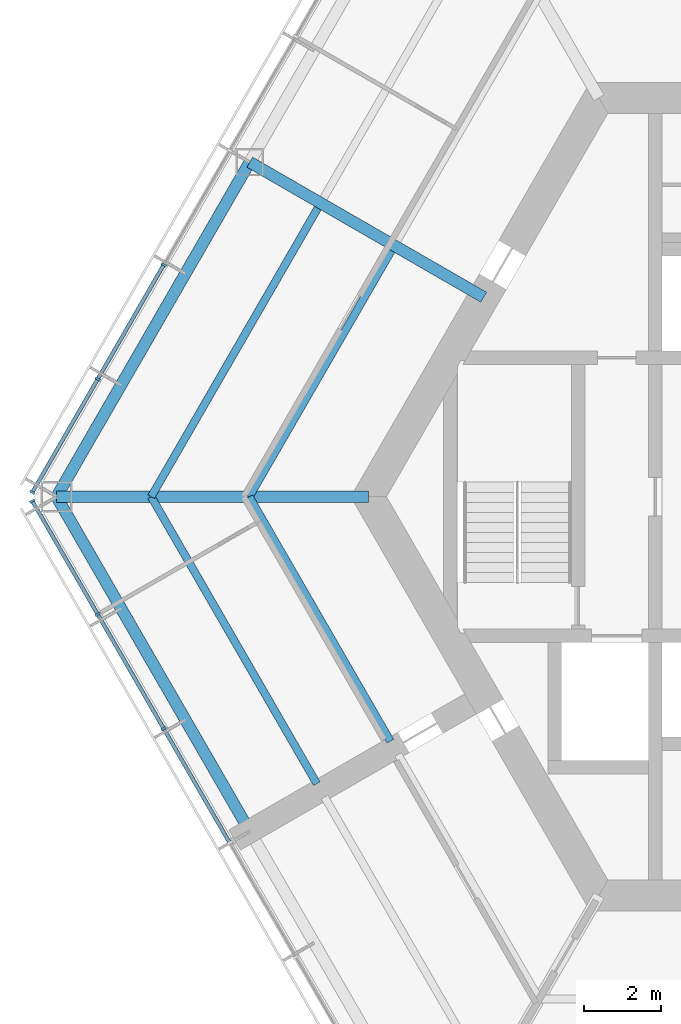
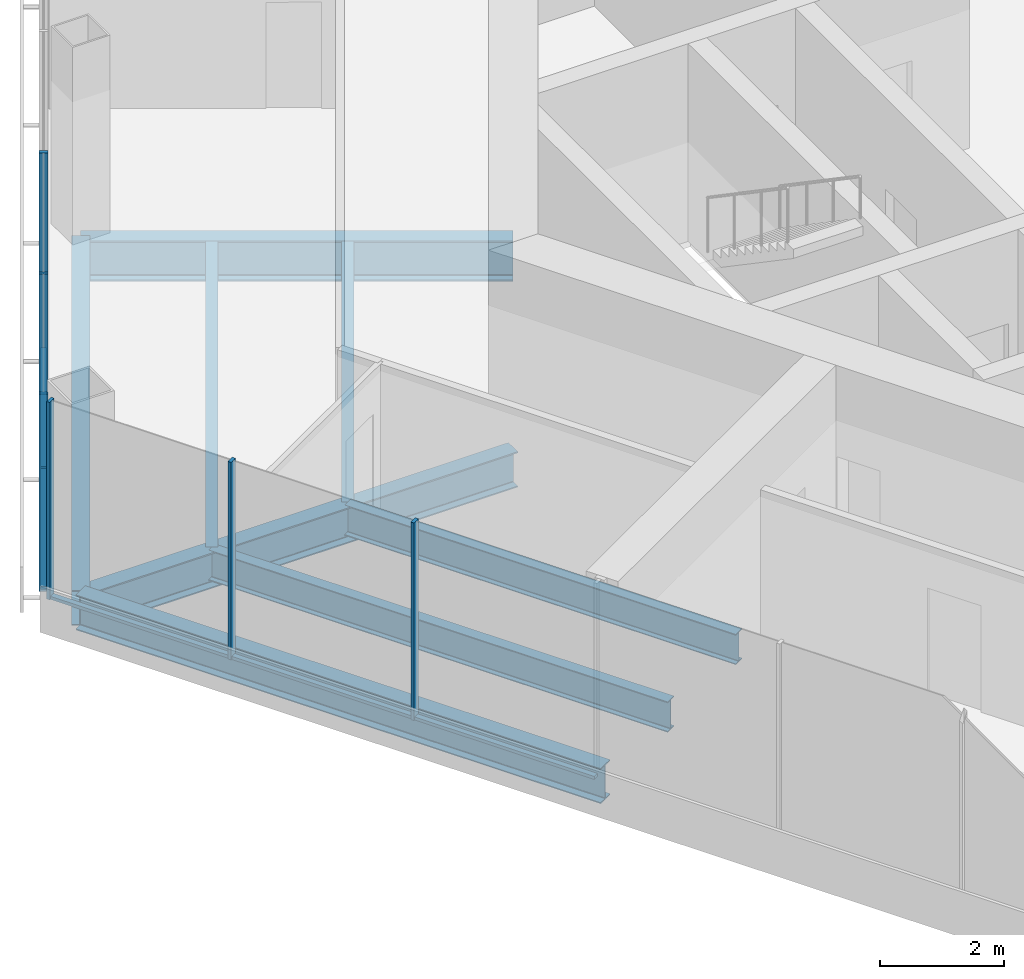
# One storey, part 3 of 14: 11 members, 8 beams, 2 elements without a shape of their own.
"""IFC4 building model written with IfcOpenShell, lengths in metres."""

from ifc_helpers import new_model, si_unit, direction, frame, origin, origin_2d, place, context, subcontext, project, spatial, rectangle, i_section, extrude, material, material_profile, profile_set, type_object, element, aggregate, save


model = new_model("IFC4")

# Units and contexts
model_context = context("Model", 3, precision=1e-05, world=origin(), true_north=direction((0.0, 1.0)))
body_context = subcontext(model_context, "Body", "Model", "MODEL_VIEW")
ifc_project = project(units=[si_unit("LENGTHUNIT", "METRE"), si_unit("AREAUNIT", "SQUARE_METRE"), si_unit("VOLUMEUNIT", "CUBIC_METRE"), si_unit("PLANEANGLEUNIT", "RADIAN"), si_unit("MASSUNIT", "GRAM", prefix="KILO")], contexts=[model_context])

# Site, building, storey
site_placement = place(None, origin())
site = spatial("IfcSite", under=ifc_project, at=site_placement, CompositionType="ELEMENT")
building_placement = place(site_placement, origin())
building = spatial("IfcBuilding", under=site, at=building_placement, Name="Kasaneha Research Tower", CompositionType="ELEMENT")
storey_placement = place(building_placement, frame((0.0, 0.0, 216.699951171875)))
storey = spatial("IfcBuildingStorey", under=building, at=storey_placement, Name="L54", CompositionType="ELEMENT", Elevation=216.699951171875)

# Beams
ifc_material_1 = material(Name="Steel SN490B", Category="steel")
ifc_material_profile_1 = material_profile(ifc_material_1, i_section(OverallWidth=0.199951171875, OverallDepth=0.60009765625, WebThickness=0.010986328125, FlangeThickness=0.01708984375, FilletRadius=0.012939453125, at=origin_2d()), Name="H-600x200x11x17")
ifc_profile_set_1 = profile_set([ifc_material_profile_1], Name="Steel SN490B")
beam_type_1 = type_object("IfcBeamType", Name="B1-3 secondary beam H-600x200x11x17", PredefinedType="JOIST", material=ifc_profile_set_1)
beam_1_placement = place(storey_placement, frame((-15.010986328125, 0.0, -0.449951171875), z_axis=(0.499994443168, 0.866028611999, 0.0), x_axis=(-0.866028611999, 0.499994443168, 0.0)))
element("IfcBeam", 1, at=beam_1_placement, inside=storey, type_object=beam_type_1, Name="Secondary beam RS150R1 L54", PredefinedType="JOIST", context=body_context, shape_type="SweptSolid", body=[
    extrude(i_section(OverallWidth=0.199951171875, OverallDepth=0.60009765625, WebThickness=0.010986328125, FlangeThickness=0.01708984375, FilletRadius=0.012939453125, at=origin_2d()), origin(), (0.0, 0.0, 1.0), 7.35546875),
])
beam_2_placement = place(storey_placement, frame((-17.551513671875, 0.0, -0.449951171875), z_axis=(0.5000050195, 0.866022505755, 0.0), x_axis=(-0.866022505755, 0.5000050195, 0.0)))
element("IfcBeam", 2, at=beam_2_placement, inside=storey, type_object=beam_type_1, Name="Secondary beam RS150R2 L54", PredefinedType="JOIST", context=body_context, shape_type="SweptSolid", body=[
    extrude(i_section(OverallWidth=0.199951171875, OverallDepth=0.60009765625, WebThickness=0.010986328125, FlangeThickness=0.01708984375, FilletRadius=0.012939453125, at=origin_2d()), origin(), (0.0, 0.0, 1.0), 8.6259765625),
])
beam_3_placement = place(storey_placement, frame((-15.010986328125, 0.0, -0.449951171875), z_axis=(0.499974128195, -0.866040340363, 0.0), x_axis=(0.866040340363, 0.499974128195, 0.0)))
element("IfcBeam", 3, at=beam_3_placement, inside=storey, type_object=beam_type_1, Name="Secondary beam RS210L1 L54", PredefinedType="JOIST", context=body_context, shape_type="SweptSolid", body=[
    extrude(i_section(OverallWidth=0.199951171875, OverallDepth=0.60009765625, WebThickness=0.010986328125, FlangeThickness=0.01708984375, FilletRadius=0.012939453125, at=origin_2d()), origin(), (0.0, 0.0, 1.0), 7.3056640625),
])
beam_4_placement = place(storey_placement, frame((-17.551513671875, 0.0, -0.449951171875), z_axis=(0.500000102728, -0.866025344474, 0.0), x_axis=(0.866025344474, 0.500000102728, 0.0)))
element("IfcBeam", 4, at=beam_4_placement, inside=storey, type_object=beam_type_1, Name="Secondary beam RS210L2 L54", PredefinedType="JOIST", context=body_context, shape_type="SweptSolid", body=[
    extrude(i_section(OverallWidth=0.199951171875, OverallDepth=0.60009765625, WebThickness=0.010986328125, FlangeThickness=0.01708984375, FilletRadius=0.012939453125, at=origin_2d()), origin(), (0.0, 0.0, 1.0), 8.57568359375),
])

# Curtain wall, members
ifc_material_2 = material(Name="Glass and aluminium", Category="aluminium")
curtain_wall_type = type_object("IfcCurtainWallType", Name="High-rise office curtain wall", PredefinedType="USERDEFINED", material=ifc_material_2)
curtain_wall_1_placement = place(storey_placement, origin())
curtain_wall_1 = element("IfcCurtainWall", 5, at=curtain_wall_1_placement, inside=storey, type_object=curtain_wall_type, Name="CW-O3 L54 run 03a", ObjectType="UNITISED CURTAIN WALL", PredefinedType="USERDEFINED")
ifc_material_3 = material(Name="Aluminium 6063-T6", Category="aluminium")
ifc_material_profile_2 = material_profile(ifc_material_3, rectangle(XDim=0.06005859375, YDim=0.139892578125, at=origin_2d()), Name="CW-O3 mullion 60x140")
ifc_profile_set_2 = profile_set([ifc_material_profile_2], Name="Aluminium 6063-T6")
member_type_1 = type_object("IfcMemberType", Name="CW-O3 mullion", PredefinedType="MULLION", material=ifc_profile_set_2)
member_1_placement = place(storey_placement, frame((-17.227294921875, 6.00244140625, 0.0), z_axis=(0.0, 0.0, 1.0), x_axis=(-0.499999995722, -0.866025406254, 0.0)))
member_1 = element("IfcMember", 6, at=member_1_placement, type_object=member_type_1, Name="CW-O3 mullion 5", PredefinedType="MULLION", context=body_context, shape_type="SweptSolid", body=[
    extrude(rectangle(XDim=0.06005859375, YDim=0.139892578125, at=origin_2d()), origin(), (0.0, 0.0, 1.0), 3.900146484375),
])
member_2_placement = place(storey_placement, frame((-18.93505859375, 3.04443359375, 0.0), z_axis=(0.0, 0.0, 1.0), x_axis=(-0.499999995722, -0.866025406254, 0.0)))
member_2 = element("IfcMember", 7, at=member_2_placement, type_object=member_type_1, Name="CW-O3 mullion 6", PredefinedType="MULLION", context=body_context, shape_type="SweptSolid", body=[
    extrude(rectangle(XDim=0.06005859375, YDim=0.139892578125, at=origin_2d()), origin(), (0.0, 0.0, 1.0), 3.900146484375),
])
member_3_placement = place(storey_placement, frame((-20.6279296875, 0.112548828125, 0.0), z_axis=(0.0, 0.0, 1.0), x_axis=(-0.499999995722, -0.866025406254, 0.0)))
member_3 = element("IfcMember", 8, at=member_3_placement, type_object=member_type_1, Name="CW-O3 mullion 7", PredefinedType="MULLION", context=body_context, shape_type="SweptSolid", body=[
    extrude(rectangle(XDim=0.06005859375, YDim=0.139892578125, at=origin_2d()), origin(), (0.0, 0.0, 1.0), 3.900146484375),
])

curtain_wall_2_placement = place(storey_placement, origin())
curtain_wall_2 = element("IfcCurtainWall", 9, at=curtain_wall_2_placement, inside=storey, type_object=curtain_wall_type, Name="CW-O3 L54 run 04a", ObjectType="UNITISED CURTAIN WALL", PredefinedType="USERDEFINED")
member_4_placement = place(storey_placement, frame((-20.6279296875, -0.112548828125, 0.0), z_axis=(0.0, 0.0, 1.0), x_axis=(0.499999995722, -0.866025406254, 0.0)))
member_4 = element("IfcMember", 10, at=member_4_placement, type_object=member_type_1, Name="CW-O3 mullion 1", PredefinedType="MULLION", context=body_context, shape_type="SweptSolid", body=[
    extrude(rectangle(XDim=0.06005859375, YDim=0.139892578125, at=origin_2d()), origin(), (0.0, 0.0, 1.0), 3.900146484375),
])
member_5_placement = place(storey_placement, frame((-18.93505859375, -3.04443359375, 0.0), z_axis=(0.0, 0.0, 1.0), x_axis=(0.499999995722, -0.866025406254, 0.0)))
member_5 = element("IfcMember", 11, at=member_5_placement, type_object=member_type_1, Name="CW-O3 mullion 2", PredefinedType="MULLION", context=body_context, shape_type="SweptSolid", body=[
    extrude(rectangle(XDim=0.06005859375, YDim=0.139892578125, at=origin_2d()), origin(), (0.0, 0.0, 1.0), 3.900146484375),
])
member_6_placement = place(storey_placement, frame((-17.227294921875, -6.00244140625, 0.0), z_axis=(0.0, 0.0, 1.0), x_axis=(0.499999995722, -0.866025406254, 0.0)))
member_6 = element("IfcMember", 12, at=member_6_placement, type_object=member_type_1, Name="CW-O3 mullion 3", PredefinedType="MULLION", context=body_context, shape_type="SweptSolid", body=[
    extrude(rectangle(XDim=0.06005859375, YDim=0.139892578125, at=origin_2d()), origin(), (0.0, 0.0, 1.0), 3.900146484375),
])

# Member
ifc_material_4 = material(Name="Aluminium 6063-T6", Category="aluminium")
ifc_material_profile_3 = material_profile(ifc_material_4, rectangle(XDim=0.10009765625, YDim=0.06005859375, at=origin_2d()), Name="CW-O3 transom 100x60")
ifc_profile_set_3 = profile_set([ifc_material_profile_3], Name="Aluminium 6063-T6")
member_type_2 = type_object("IfcMemberType", Name="CW-O3 transom", PredefinedType="USERDEFINED", material=ifc_profile_set_3)
member_7_placement = place(storey_placement, frame((-17.242431640625, 5.976318359375, 0.030029296875), z_axis=(-0.500020578564, -0.866013522419, 0.0), x_axis=(0.866013522419, -0.500020578564, 0.0)))
member_7 = element("IfcMember", 13, at=member_7_placement, type_object=member_type_2, Name="CW-O3 transom 5", ObjectType="TRANSOM", PredefinedType="USERDEFINED", context=body_context, shape_type="SweptSolid", body=[
    extrude(rectangle(XDim=0.10009765625, YDim=0.06005859375, at=origin_2d()), origin(), (0.0, 0.0, 1.0), 3.355224609375),
])

member_8_placement = place(storey_placement, frame((-18.9501953125, 3.0185546875, 0.030029296875), z_axis=(-0.49997666526, -0.866038875684, 0.0), x_axis=(0.866038875684, -0.49997666526, 0.0)))
member_8 = element("IfcMember", 14, at=member_8_placement, type_object=member_type_2, Name="CW-O3 transom 6", ObjectType="TRANSOM", PredefinedType="USERDEFINED", context=body_context, shape_type="SweptSolid", body=[
    extrude(rectangle(XDim=0.10009765625, YDim=0.06005859375, at=origin_2d()), origin(), (0.0, 0.0, 1.0), 3.325439453125),
])

aggregate(curtain_wall_1, [member_1, member_2, member_3, member_7, member_8])

member_9_placement = place(storey_placement, frame((-20.61279296875, -0.138671875, 0.030029296875), z_axis=(0.49997666526, -0.866038875684, 0.0), x_axis=(0.866038875684, 0.49997666526, 0.0)))
member_9 = element("IfcMember", 15, at=member_9_placement, type_object=member_type_2, Name="CW-O3 transom 1", ObjectType="TRANSOM", PredefinedType="USERDEFINED", context=body_context, shape_type="SweptSolid", body=[
    extrude(rectangle(XDim=0.10009765625, YDim=0.06005859375, at=origin_2d()), origin(), (0.0, 0.0, 1.0), 3.325439453125),
])

member_10_placement = place(storey_placement, frame((-18.920166015625, -3.070556640625, 0.030029296875), z_axis=(0.500020578564, -0.866013522419, 0.0), x_axis=(0.866013522419, 0.500020578564, 0.0)))
member_10 = element("IfcMember", 16, at=member_10_placement, type_object=member_type_2, Name="CW-O3 transom 2", ObjectType="TRANSOM", PredefinedType="USERDEFINED", context=body_context, shape_type="SweptSolid", body=[
    extrude(rectangle(XDim=0.10009765625, YDim=0.06005859375, at=origin_2d()), origin(), (0.0, 0.0, 1.0), 3.355224609375),
])

member_11_placement = place(storey_placement, frame((-17.21240234375, -6.0283203125, 0.030029296875), z_axis=(0.499989072476, -0.866031712701, 0.0), x_axis=(0.866031712701, 0.499989072476, 0.0)))
member_11 = element("IfcMember", 17, at=member_11_placement, type_object=member_type_2, Name="CW-O3 transom 3", ObjectType="TRANSOM", PredefinedType="USERDEFINED", context=body_context, shape_type="SweptSolid", body=[
    extrude(rectangle(XDim=0.10009765625, YDim=0.06005859375, at=origin_2d()), origin(), (0.0, 0.0, 1.0), 3.35546875),
])

aggregate(curtain_wall_2, [member_4, member_5, member_6, member_9, member_10, member_11])

# Beams
ifc_material_5 = material(Name="Steel SN490B", Category="steel")
ifc_material_profile_4 = material_profile(ifc_material_5, i_section(OverallWidth=0.300048828125, OverallDepth=0.699951171875, WebThickness=0.012939453125, FlangeThickness=0.02392578125, FilletRadius=0.01806640625, at=origin_2d()), Name="H-700x300x13x24")
ifc_profile_set_4 = profile_set([ifc_material_profile_4], Name="Steel SN490B")
beam_type_2 = type_object("IfcBeamType", Name="G1-3 radial girder H-700x300x13x24", PredefinedType="BEAM", material=ifc_profile_set_4)
beam_5_placement = place(storey_placement, frame((-11.92236328125, 0.0, -0.5), z_axis=(-1.0, 0.0, 0.0), x_axis=(0.0, -1.0, 0.0)))
element("IfcBeam", 18, at=beam_5_placement, inside=storey, type_object=beam_type_2, Name="Radial girder RV180 L54", PredefinedType="BEAM", context=body_context, shape_type="SweptSolid", body=[
    extrude(i_section(OverallWidth=0.300048828125, OverallDepth=0.699951171875, WebThickness=0.012939453125, FlangeThickness=0.02392578125, FilletRadius=0.01806640625, at=origin_2d()), origin(), (0.0, 0.0, 1.0), 8.07763671875),
])
ifc_material_6 = material(Name="Steel SN490B", Category="steel")
ifc_material_profile_5 = material_profile(ifc_material_6, i_section(OverallWidth=0.300048828125, OverallDepth=0.800048828125, WebThickness=0.013916015625, FlangeThickness=0.02587890625, FilletRadius=0.01806640625, at=origin_2d()), Name="H-800x300x14x26")
ifc_profile_set_5 = profile_set([ifc_material_profile_5], Name="Steel SN490B")
beam_type_3 = type_object("IfcBeamType", Name="G2-3 radial girder H-800x300x14x26", PredefinedType="BEAM", material=ifc_profile_set_5)
beam_6_placement = place(storey_placement, frame((-8.941650390625, 5.16259765625, -0.550048828125), z_axis=(-0.866039713508, 0.499975214012, 0.0), x_axis=(-0.499975214012, -0.866039713508, 0.0)))
element("IfcBeam", 19, at=beam_6_placement, inside=storey, type_object=beam_type_3, Name="Radial girder RM150 L54", PredefinedType="BEAM", context=body_context, shape_type="SweptSolid", body=[
    extrude(i_section(OverallWidth=0.300048828125, OverallDepth=0.800048828125, WebThickness=0.013916015625, FlangeThickness=0.02587890625, FilletRadius=0.01806640625, at=origin_2d()), origin(), (0.0, 0.0, 1.0), 6.995361328125),
])
ifc_material_7 = material(Name="Steel SN490B", Category="steel")
ifc_material_profile_6 = material_profile(ifc_material_7, i_section(OverallWidth=0.300048828125, OverallDepth=0.69189453125, WebThickness=0.012939453125, FlangeThickness=0.02001953125, FilletRadius=0.01806640625, at=origin_2d()), Name="H-692x300x13x20")
ifc_profile_set_6 = profile_set([ifc_material_profile_6], Name="Steel SN490B")
beam_type_4 = type_object("IfcBeamType", Name="G3-3 plate edge girder H-692x300x13x20", PredefinedType="BEAM", material=ifc_profile_set_6)
beam_7_placement = place(storey_placement, frame((-20.0, 0.0, -0.495849609375), z_axis=(0.49999201416, -0.866030014362, 0.0), x_axis=(0.866030014362, 0.49999201416, 0.0)))
element("IfcBeam", 20, at=beam_7_placement, inside=storey, type_object=beam_type_4, Name="Plate edge girder PEBP L54", PredefinedType="BEAM", context=body_context, shape_type="SweptSolid", body=[
    extrude(i_section(OverallWidth=0.300048828125, OverallDepth=0.69189453125, WebThickness=0.012939453125, FlangeThickness=0.02001953125, FilletRadius=0.01806640625, at=origin_2d()), origin(), (0.0, 0.0, 1.0), 9.800048828125),
])
ifc_material_8 = material(Name="Steel SN490B", Category="steel")
ifc_material_profile_7 = material_profile(ifc_material_8, i_section(OverallWidth=0.300048828125, OverallDepth=0.69189453125, WebThickness=0.012939453125, FlangeThickness=0.02001953125, FilletRadius=0.01806640625, at=origin_2d()), Name="H-692x300x13x20")
ifc_profile_set_7 = profile_set([ifc_material_profile_7], Name="Steel SN490B")
beam_type_5 = type_object("IfcBeamType", Name="SB1-3 spandrel beam H-692x300x13x20", PredefinedType="SPANDREL", material=ifc_profile_set_7)
beam_8_placement = place(storey_placement, frame((-20.0, 0.0, -0.495849609375), z_axis=(0.500004234368, 0.866022959057, 0.0), x_axis=(-0.866022959057, 0.500004234368, 0.0)))
element("IfcBeam", 21, at=beam_8_placement, inside=storey, type_object=beam_type_5, Name="Spandrel beam SR150R L54", PredefinedType="SPANDREL", context=body_context, shape_type="SweptSolid", body=[
    extrude(i_section(OverallWidth=0.300048828125, OverallDepth=0.69189453125, WebThickness=0.012939453125, FlangeThickness=0.02001953125, FilletRadius=0.01806640625, at=origin_2d()), origin(), (0.0, 0.0, 1.0), 10.0),
])

save(model, "model.ifc")
